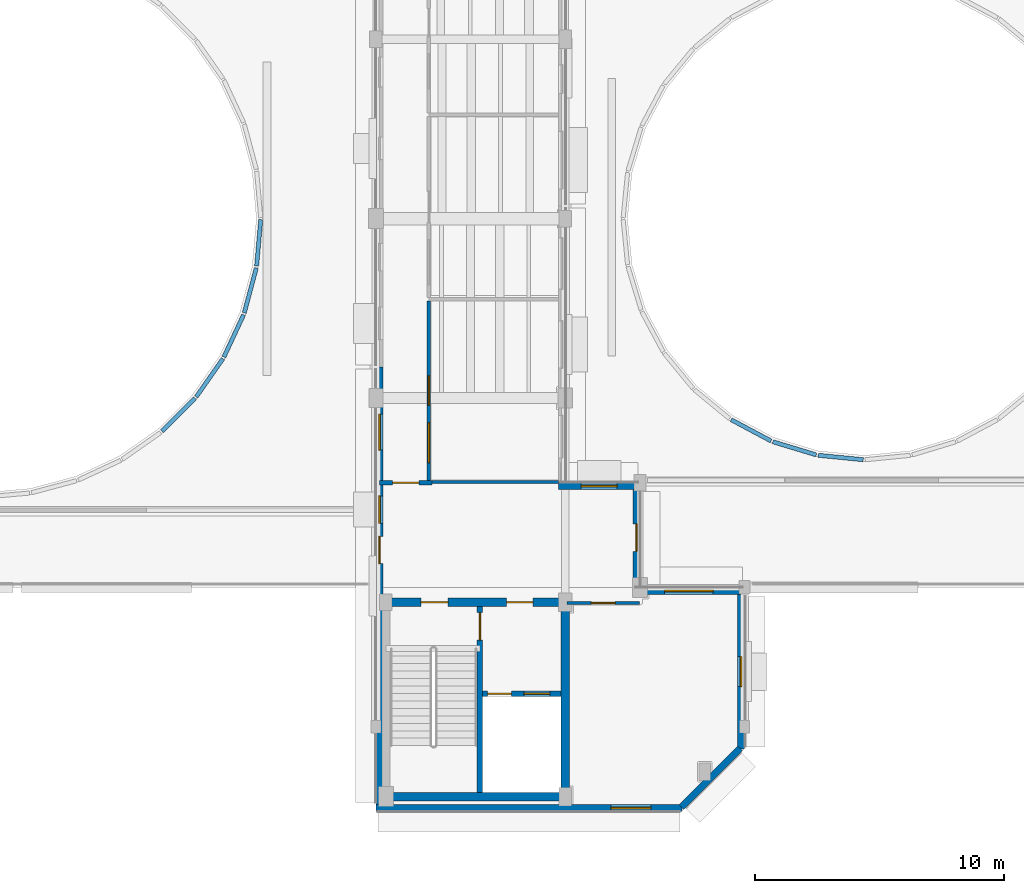
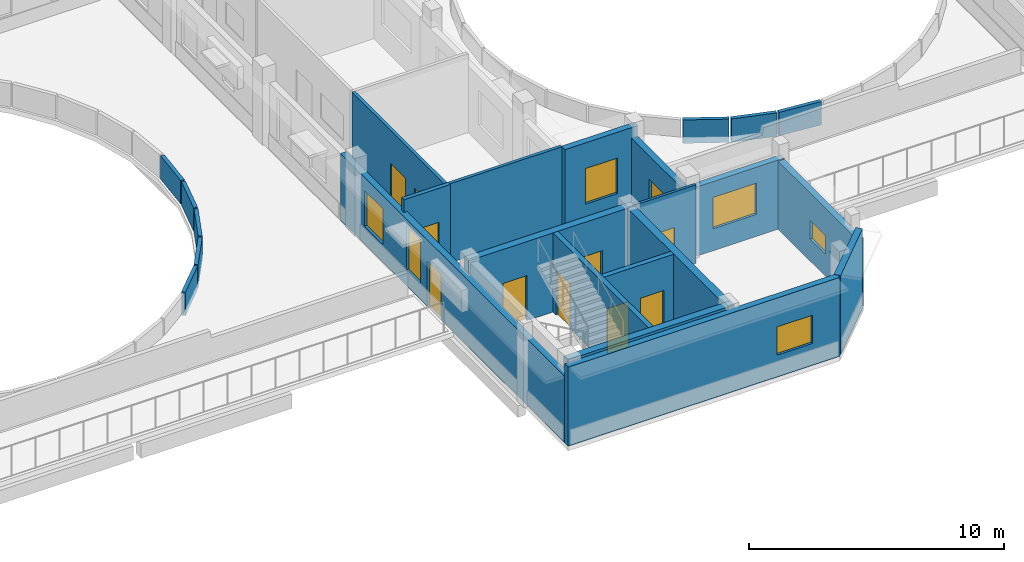
# One storey, part 61 of 78: 24 walls, 10 doors, 7 windows, 17 openings.
"""IFC4 building model written with IfcOpenShell, lengths in metres."""

import ifcopenshell
import ifcopenshell.guid

model = None  # the IFC model being written
_history = None  # IfcOwnerHistory: only IFC2X3 demands one
_inside = {}  # id of a spatial element -> (the spatial element, [elements in it])
_under = {}  # id of a project, library or spatial element -> (it, [spatial elements below it])
_declared = {}  # id of a project -> (the project, [libraries it declares])
_typed = {}  # id of a type object -> (the type object, [elements of that type])
_made_of = {}  # id of a material, layer set ... -> (it, [elements and type objects made of it])


def new_model(schema):
    """Start an empty IFC model of exactly this schema.

    Asked for "IFC4X3", IfcOpenShell would pick the latest addendum, in which some entities
    have other attributes; the version numbers below select the first issue.
    IFC2X3 requires an IfcOwnerHistory on every rooted entity: one is made here for all.
    """
    global model, _history
    if schema == "IFC4X3":
        model = ifcopenshell.file(schema_version=(4, 3, 0, 0))
    else:
        model = ifcopenshell.file(schema=schema)
    _inside.clear()
    _under.clear()
    _declared.clear()
    _typed.clear()
    _made_of.clear()
    _history = None
    if model.schema == "IFC2X3":
        org = make("IfcOrganization", Name="unknown")
        user = make(
            "IfcPersonAndOrganization",
            ThePerson=make("IfcPerson", FamilyName="unknown"),
            TheOrganization=org,
        )
        app = make(
            "IfcApplication",
            ApplicationDeveloper=org,
            Version="unknown",
            ApplicationFullName="unknown",
            ApplicationIdentifier="unknown",
        )
        _history = make(
            "IfcOwnerHistory",
            OwningUser=user,
            OwningApplication=app,
            ChangeAction="ADDED",
            CreationDate=0,
        )
    return model


def make(cls, **values):
    """One entity of the class cls with the attributes given. An attribute that is None is left unset."""
    return model.create_entity(
        cls, **{name: value for name, value in values.items() if value is not None}
    )


def rooted(cls, **values):
    """An entity with a GlobalId (a new one), such as an element, a storey or a relation."""
    return make(cls, GlobalId=ifcopenshell.guid.new(), OwnerHistory=_history, **values)


def si_unit(unit_type, name, prefix=None):
    """IfcSIUnit, for example si_unit("LENGTHUNIT", "METRE", prefix="MILLI")."""
    return make("IfcSIUnit", UnitType=unit_type, Prefix=prefix, Name=name)


def assignment(units):
    """IfcUnitAssignment: the units of a project."""
    return None if units is None else make("IfcUnitAssignment", Units=units)


def point(xyz):
    """IfcCartesianPoint."""
    return None if xyz is None else make("IfcCartesianPoint", Coordinates=xyz)


def direction(xyz):
    """IfcDirection."""
    return None if xyz is None else make("IfcDirection", DirectionRatios=xyz)


def frame(location, z_axis=None, x_axis=None):
    """IfcAxis2Placement3D, a coordinate frame: its origin and axes. An axis left out is left unset."""
    return make(
        "IfcAxis2Placement3D",
        Location=point(location),
        Axis=direction(z_axis),
        RefDirection=direction(x_axis),
    )


def frame_2d(location, x_axis=None):
    """IfcAxis2Placement2D, a coordinate frame in the plane: its origin and x axis."""
    return make(
        "IfcAxis2Placement2D", Location=point(location), RefDirection=direction(x_axis)
    )


def origin():
    """The frame at (0, 0, 0) with its axes left unset."""
    return frame((0.0, 0.0, 0.0))


def place(relative_to, where):
    """IfcLocalPlacement: puts the frame where relative to a parent placement (None: the world)."""
    return make(
        "IfcLocalPlacement", PlacementRelTo=relative_to, RelativePlacement=where
    )


def context(
    kind, dimensions, precision=None, world=None, true_north=None, identifier=None
):
    """IfcGeometricRepresentationContext, for example the 3D "Model" context."""
    return make(
        "IfcGeometricRepresentationContext",
        ContextIdentifier=identifier,
        ContextType=kind,
        CoordinateSpaceDimension=dimensions,
        Precision=precision,
        WorldCoordinateSystem=world,
        TrueNorth=true_north,
    )


def subcontext(parent, identifier, kind, view, scale=None):
    """IfcGeometricRepresentationSubContext, for example "Body" below "Model"."""
    return make(
        "IfcGeometricRepresentationSubContext",
        ContextIdentifier=identifier,
        ContextType=kind,
        ParentContext=parent,
        TargetScale=scale,
        TargetView=view,
    )


def project(units=None, contexts=None):
    """IfcProject with its units and contexts."""
    return rooted(
        "IfcProject",
        Name="project",
        RepresentationContexts=contexts,
        UnitsInContext=assignment(units),
    )


def spatial(cls, under=None, at=None, **own):
    """A site, building, storey or space (cls), placed at a placement, below another one or the project."""
    s = rooted(cls, ObjectPlacement=at, **own)
    if under is not None:
        _under.setdefault(under.id(), (under, []))[1].append(s)
    return s


def profile(cls, at=None, kind="AREA", **sizes):
    """A parametric profile (cls). Its sizes go by their IFC names, for example OverallWidth=200.0."""
    return make(cls, ProfileType=kind, Position=at, **sizes)


def rectangle(**sizes):
    """IfcRectangleProfileDef."""
    return profile("IfcRectangleProfileDef", **sizes)


def extrude(swept, where, along, depth):
    """IfcExtrudedAreaSolid: the profile swept, set in the frame where, extruded along a direction by depth."""
    return make(
        "IfcExtrudedAreaSolid",
        SweptArea=swept,
        Position=where,
        ExtrudedDirection=direction(along),
        Depth=depth,
    )


def shape(context_of_items, identifier, shape_type, items):
    """IfcShapeRepresentation: the items that make up one representation, for example the "Body"."""
    return make(
        "IfcShapeRepresentation",
        ContextOfItems=context_of_items,
        RepresentationIdentifier=identifier,
        RepresentationType=shape_type,
        Items=items,
    )


def material(Name=None, Category=None):
    """IfcMaterial."""
    return make("IfcMaterial", Name=Name, Category=Category)


def layer(
    of_material, thickness, ventilated=None, Name=None, Category=None, Priority=None
):
    """IfcMaterialLayer: one layer of a wall or slab, of a material (None: an air gap)."""
    return make(
        "IfcMaterialLayer",
        Material=of_material,
        LayerThickness=thickness,
        IsVentilated=ventilated,
        Name=Name,
        Category=Category,
        Priority=Priority,
    )


def layer_set(layers, Name=None):
    """IfcMaterialLayerSet."""
    return make("IfcMaterialLayerSet", MaterialLayers=layers, LayerSetName=Name)


def made_of(thing, what):
    """Note that an element or type object is made of a material, layer set ...; save() writes the relation."""
    if what is not None:
        _made_of.setdefault(what.id(), (what, []))[1].append(thing)
    return thing


def type_object(cls, material=None, **own):
    """A type object (cls), such as IfcWallType, which elements share."""
    return made_of(rooted(cls, **own), material)


def element(
    cls,
    number,
    at=None,
    inside=None,
    cuts=None,
    type_object=None,
    material=None,
    context=None,
    identifier="Body",
    shape_type=None,
    held_by="IfcProductDefinitionShape",
    body=None,
    shapes=None,
    **own,
):
    """One element of the class cls, such as IfcWall. Its Tag is "e" and its number.

    at: its placement. inside: the storey or other place that contains it. cuts: it is an
    opening in that element (IfcRelVoidsElement). A single representation is given by context,
    identifier, shape_type and body (its items); several are given by shapes. held_by: the class
    of the entity that holds the representations. save() writes the other relations.
    """
    e = rooted(cls, Tag="e%d" % number, ObjectPlacement=at, **own)
    if body is not None:
        shapes = [shape(context, identifier, shape_type, body)]
    if shapes is not None:
        e.Representation = make(held_by, Representations=shapes)
    if inside is not None:
        _inside.setdefault(inside.id(), (inside, []))[1].append(e)
    if cuts is not None:
        rooted(
            "IfcRelVoidsElement", RelatingBuildingElement=cuts, RelatedOpeningElement=e
        )
    if type_object is not None:
        _typed.setdefault(type_object.id(), (type_object, []))[1].append(e)
    return made_of(e, material)


def fill(opening, filler):
    """IfcRelFillsElement: the door or window that sits in an opening."""
    return rooted(
        "IfcRelFillsElement",
        RelatingOpeningElement=opening,
        RelatedBuildingElement=filler,
    )


def aggregate(whole, parts):
    """IfcRelAggregates: a whole, such as a stair, and the parts it consists of."""
    return rooted("IfcRelAggregates", RelatingObject=whole, RelatedObjects=parts)


def save(model, path):
    """Write the relations noted so far, then the file.

    IfcRelAggregates (storeys below a building ...), IfcRelContainedInSpatialStructure (elements
    in a storey), IfcRelDefinesByType, IfcRelAssociatesMaterial and IfcRelDeclares: one each for
    every whole, place, type object, material and project.
    """
    for whole, parts in _under.values():
        aggregate(whole, parts)
    for where, things in _inside.values():
        rooted(
            "IfcRelContainedInSpatialStructure",
            RelatedElements=things,
            RelatingStructure=where,
        )
    for kind, things in _typed.values():
        rooted("IfcRelDefinesByType", RelatedObjects=things, RelatingType=kind)
    for what, things in _made_of.values():
        rooted("IfcRelAssociatesMaterial", RelatedObjects=things, RelatingMaterial=what)
    for by, libraries in _declared.values():
        rooted("IfcRelDeclares", RelatingContext=by, RelatedDefinitions=libraries)
    model.write(path)


model = new_model("IFC4")

# Units and contexts
model_context = context("Model", 3, precision=1e-05, world=origin(), true_north=direction((0.0, 1.0)))
body_context = subcontext(model_context, "Body", "Model", "MODEL_VIEW")
ifc_project = project(units=[si_unit("LENGTHUNIT", "METRE"), si_unit("AREAUNIT", "SQUARE_METRE"), si_unit("VOLUMEUNIT", "CUBIC_METRE"), si_unit("PLANEANGLEUNIT", "RADIAN"), si_unit("MASSUNIT", "GRAM", prefix="KILO")], contexts=[model_context])

# Site, building, storey
site_placement = place(None, origin())
site = spatial("IfcSite", under=ifc_project, at=site_placement, CompositionType="ELEMENT")
building_placement = place(site_placement, origin())
building = spatial("IfcBuilding", under=site, at=building_placement, Name="Kelanivale Promenade Academy", CompositionType="ELEMENT")
storey_placement = place(building_placement, frame((0.0, 0.0, 16.199951171875)))
storey = spatial("IfcBuildingStorey", under=building, at=storey_placement, Name="L04", CompositionType="ELEMENT", Elevation=16.199951171875)

# Wall
ifc_material_1 = material(Name="Concrete C40/50", Category="concrete")
ifc_layer_1 = layer(ifc_material_1, 0.330078125)
ifc_layer_set_1 = layer_set([ifc_layer_1], Name="Concrete C40/50")
wall_type_1 = type_object("IfcWallType", Name="CW-S1 Wall 330mm", PredefinedType="SHEAR", material=ifc_layer_set_1)
wall_1_placement = place(storey_placement, frame((79.43505859375, 33.60009765625, 0.0), z_axis=(0.0, 0.0, 1.0), x_axis=(1.0, 0.0, 0.0)))
element("IfcWall", 1, at=wall_1_placement, inside=storey, type_object=wall_type_1, Name="CORE-1 RC shear wall S L04", PredefinedType="SHEAR", context=body_context, shape_type="SweptSolid", body=[
    extrude(rectangle(XDim=7.530029296875, YDim=0.330078125, at=frame_2d((3.76513671875, 0.0))), origin(), (0.0, 0.0, 1.0), 3.780029296875),
])

# Wall, openings, doors
wall_2_placement = place(storey_placement, frame((79.43505859375, 41.39990234375, 0.0), z_axis=(0.0, 0.0, 1.0), x_axis=(1.0, 0.0, 0.0)))
wall_2 = element("IfcWall", 2, at=wall_2_placement, inside=storey, type_object=wall_type_1, Name="CORE-1 RC shear wall N L04", PredefinedType="SHEAR", context=body_context, shape_type="SweptSolid", body=[
    extrude(rectangle(XDim=7.530029296875, YDim=0.330078125, at=frame_2d((3.76513671875, 0.0))), origin(), (0.0, 0.0, 1.0), 3.780029296875),
])
opening_1_placement = place(wall_2_placement, frame((5.014892578125, 0.0, 0.0)))
opening_1 = element("IfcOpeningElement", 3, at=opening_1_placement, cuts=wall_2, Name="Opening FD-CORE-1-LB-L04", PredefinedType="OPENING", context=body_context, shape_type="SweptSolid", body=[
    extrude(rectangle(XDim=1.050048828125, YDim=2.14990234375, at=frame_2d((0.52490234375, 1.074951171875))), frame((0.0, 0.175048828125, 0.0), z_axis=(0.0, -1.0, 0.0), x_axis=(1.0, 0.0, 0.0)), (0.0, 0.0, 1.0), 0.35009765625),
])
opening_2_placement = place(wall_2_placement, frame((1.56494140625, 0.0, 0.0)))
opening_2 = element("IfcOpeningElement", 4, at=opening_2_placement, cuts=wall_2, Name="Opening FD-CORE-1-ST-L04", PredefinedType="OPENING", context=body_context, shape_type="SweptSolid", body=[
    extrude(rectangle(XDim=1.10009765625, YDim=2.14990234375, at=frame_2d((0.550048828125, 1.074951171875))), frame((0.0, 0.175048828125, 0.0), z_axis=(0.0, -1.0, 0.0), x_axis=(1.0, 0.0, 0.0)), (0.0, 0.0, 1.0), 0.35009765625),
])
ifc_material_2 = material(Name="Fire-rated steel-core teak veneer", Category="steel")
door_type_1 = type_object("IfcDoorType", Name="DT-F01 Door 1100x2150", OperationType="NOTDEFINED", PredefinedType="DOOR", material=ifc_material_2)
door_1_placement = place(opening_2_placement, origin())
door_1 = element("IfcDoor", 5, at=door_1_placement, inside=storey, type_object=door_type_1, Name="CORE-1 protected stair fire door L04", OperationType="SINGLE_SWING_LEFT", OverallHeight=2.14990234375, OverallWidth=1.10009765625, PredefinedType="DOOR", context=body_context, shape_type="SweptSolid", body=[
    extrude(rectangle(XDim=1.10009765625, YDim=2.14990234375, at=frame_2d((0.550048828125, 1.074951171875))), frame((0.0, 0.02490234375, 0.0), z_axis=(0.0, -1.0, 0.0), x_axis=(1.0, 0.0, 0.0)), (0.0, 0.0, 1.0), 0.050048828125),
])
fill(opening_2, door_1)
door_type_2 = type_object("IfcDoorType", Name="DT-F03 Door 1050x2150", OperationType="NOTDEFINED", PredefinedType="DOOR", material=ifc_material_2)
door_2_placement = place(opening_1_placement, origin())
door_2 = element("IfcDoor", 6, at=door_2_placement, inside=storey, type_object=door_type_2, Name="CORE-1 corridor-to-lobby fire door L04", OperationType="SINGLE_SWING_RIGHT", OverallHeight=2.14990234375, OverallWidth=1.050048828125, PredefinedType="DOOR", context=body_context, shape_type="SweptSolid", body=[
    extrude(rectangle(XDim=1.050048828125, YDim=2.14990234375, at=frame_2d((0.52490234375, 1.074951171875))), frame((0.0, 0.02490234375, 0.0), z_axis=(0.0, -1.0, 0.0), x_axis=(1.0, 0.0, 0.0)), (0.0, 0.0, 1.0), 0.050048828125),
])
fill(opening_1, door_2)

# Wall
wall_3_placement = place(storey_placement, frame((86.800048828125, 33.764892578125, 0.0), z_axis=(0.0, 0.0, 1.0), x_axis=(0.0, 1.0, 0.0)))
element("IfcWall", 7, at=wall_3_placement, inside=storey, type_object=wall_type_1, Name="CORE-1 RC shear wall E L04", PredefinedType="SHEAR", context=body_context, shape_type="SweptSolid", body=[
    extrude(rectangle(XDim=7.47021484375, YDim=0.330078125, at=frame_2d((3.735107421875, 0.0))), origin(), (0.0, 0.0, 1.0), 3.780029296875),
])

# Wall, openings, doors
ifc_layer_2 = layer(ifc_material_1, 0.22509765625)
ifc_layer_set_2 = layer_set([ifc_layer_2], Name="Concrete C40/50")
wall_type_2 = type_object("IfcWallType", Name="CW-S2 Wall 225mm", PredefinedType="SHEAR", material=ifc_layer_set_2)
wall_4_placement = place(storey_placement, frame((83.485107421875, 37.72998046875, 0.0), z_axis=(0.0, 0.0, 1.0), x_axis=(1.0, 0.0, 0.0)))
wall_4 = element("IfcWall", 8, at=wall_4_placement, inside=storey, type_object=wall_type_2, Name="CORE-1 lift shaft front RC wall L04", PredefinedType="SHEAR", context=body_context, shape_type="SweptSolid", body=[
    extrude(rectangle(XDim=3.14990234375, YDim=0.22509765625, at=frame_2d((1.574951171875, 0.0))), origin(), (0.0, 0.0, 1.0), 3.780029296875),
])
opening_3_placement = place(wall_4_placement, frame((0.199951171875, 0.0, 0.0)))
opening_3 = element("IfcOpeningElement", 9, at=opening_3_placement, cuts=wall_4, Name="Opening LD-LF-FF1-L04", PredefinedType="OPENING", context=body_context, shape_type="SweptSolid", body=[
    extrude(rectangle(XDim=0.949951171875, YDim=2.14990234375, at=frame_2d((0.47509765625, 1.074951171875))), frame((0.0, 0.12255859375, 0.0), z_axis=(0.0, -1.0, 0.0), x_axis=(1.0, 0.0, 0.0)), (0.0, 0.0, 1.0), 0.2451171875),
])
opening_4_placement = place(wall_4_placement, frame((1.64990234375, 0.0, 0.0)))
opening_4 = element("IfcOpeningElement", 10, at=opening_4_placement, cuts=wall_4, Name="Opening LD-LF-P1-L04", PredefinedType="OPENING", context=body_context, shape_type="SweptSolid", body=[
    extrude(rectangle(XDim=1.050048828125, YDim=2.199951171875, at=frame_2d((0.52490234375, 1.10009765625))), frame((0.0, 0.12255859375, 0.0), z_axis=(0.0, -1.0, 0.0), x_axis=(1.0, 0.0, 0.0)), (0.0, 0.0, 1.0), 0.2451171875),
])
door_type_3 = type_object("IfcDoorType", Name="LD-FF1 Door 950x2150", OperationType="NOTDEFINED", PredefinedType="DOOR", material=ifc_material_2)
door_3_placement = place(opening_3_placement, origin())
door_3 = element("IfcDoor", 11, at=door_3_placement, inside=storey, type_object=door_type_3, Name="Firefighting lift landing door LD-LF-FF1-L04", OperationType="SLIDING_TO_LEFT", OverallHeight=2.14990234375, OverallWidth=0.949951171875, PredefinedType="DOOR", context=body_context, shape_type="SweptSolid", body=[
    extrude(rectangle(XDim=0.949951171875, YDim=2.14990234375, at=frame_2d((0.47509765625, 1.074951171875))), frame((0.0, 0.02490234375, 0.0), z_axis=(0.0, -1.0, 0.0), x_axis=(1.0, 0.0, 0.0)), (0.0, 0.0, 1.0), 0.050048828125),
])
fill(opening_3, door_3)
door_type_4 = type_object("IfcDoorType", Name="LD-PL1 Door 1050x2200", OperationType="NOTDEFINED", PredefinedType="DOOR", material=ifc_material_2)
door_4_placement = place(opening_4_placement, origin())
door_4 = element("IfcDoor", 12, at=door_4_placement, inside=storey, type_object=door_type_4, Name="Passenger lift landing door LD-LF-P1-L04", OperationType="SLIDING_TO_RIGHT", OverallHeight=2.199951171875, OverallWidth=1.050048828125, PredefinedType="DOOR", context=body_context, shape_type="SweptSolid", body=[
    extrude(rectangle(XDim=1.050048828125, YDim=2.199951171875, at=frame_2d((0.52490234375, 1.10009765625))), frame((0.0, 0.02490234375, 0.0), z_axis=(0.0, -1.0, 0.0), x_axis=(1.0, 0.0, 0.0)), (0.0, 0.0, 1.0), 0.050048828125),
])
fill(opening_4, door_4)

# Wall, opening, door
ifc_layer_3 = layer(ifc_material_1, 0.219970703125)
ifc_layer_set_3 = layer_set([ifc_layer_3], Name="Concrete C40/50")
wall_type_3 = type_object("IfcWallType", Name="CW-S3 Wall 220mm", PredefinedType="SHEAR", material=ifc_layer_set_3)
wall_5_placement = place(storey_placement, frame((83.375, 33.764892578125, 0.0), z_axis=(0.0, 0.0, 1.0), x_axis=(0.0, 1.0, 0.0)))
wall_5 = element("IfcWall", 13, at=wall_5_placement, inside=storey, type_object=wall_type_3, Name="CORE-1 stair-lobby dividing RC wall L04", PredefinedType="SHEAR", context=body_context, shape_type="SweptSolid", body=[
    extrude(rectangle(XDim=7.47021484375, YDim=0.219970703125, at=frame_2d((3.735107421875, 0.0))), origin(), (0.0, 0.0, 1.0), 3.780029296875),
])
opening_5_placement = place(wall_5_placement, frame((6.1201171875, 0.0, 0.0)))
opening_5 = element("IfcOpeningElement", 14, at=opening_5_placement, cuts=wall_5, Name="Opening FD-CORE-1-SL-L04", PredefinedType="OPENING", context=body_context, shape_type="SweptSolid", body=[
    extrude(rectangle(XDim=1.10009765625, YDim=2.14990234375, at=frame_2d((0.550048828125, 1.074951171875))), frame((0.0, 0.1201171875, 0.0), z_axis=(0.0, -1.0, 0.0), x_axis=(1.0, 0.0, 0.0)), (0.0, 0.0, 1.0), 0.239990234375),
])
door_5_placement = place(opening_5_placement, origin())
door_5 = element("IfcDoor", 15, at=door_5_placement, inside=storey, type_object=door_type_1, Name="CORE-1 lobby-to-stair fire door L04", OperationType="SINGLE_SWING_LEFT", OverallHeight=2.14990234375, OverallWidth=1.10009765625, PredefinedType="DOOR", context=body_context, shape_type="SweptSolid", body=[
    extrude(rectangle(XDim=1.10009765625, YDim=2.14990234375, at=frame_2d((0.550048828125, 1.074951171875))), frame((0.0, 0.02490234375, 0.0), z_axis=(0.0, -1.0, 0.0), x_axis=(1.0, 0.0, 0.0)), (0.0, 0.0, 1.0), 0.050048828125),
])
fill(opening_5, door_5)

# Wall, opening, window
ifc_material_3 = material(Name="Insulated ivory stucco masonry wall 280 mm", Category="masonry")
ifc_layer_4 = layer(ifc_material_3, 0.280029296875)
ifc_layer_set_4 = layer_set([ifc_layer_4], Name="Insulated ivory stucco masonry wall 280 mm")
wall_type_4 = type_object("IfcWallType", Name="EW-02 Wall 280mm", PredefinedType="SOLIDWALL", material=ifc_layer_set_4)
wall_6_placement = place(storey_placement, frame((94.0, 41.860107421875, 0.0), z_axis=(0.0, 0.0, 1.0), x_axis=(-1.0, 0.0, 0.0)))
wall_6 = element("IfcWall", 16, at=wall_6_placement, inside=storey, type_object=wall_type_4, Name="L04 exterior facade wall EW-L04-ORT-0517", PredefinedType="SOLIDWALL", context=body_context, shape_type="SweptSolid", body=[
    extrude(rectangle(XDim=4.47998046875, YDim=0.280029296875, at=frame_2d((2.239990234375, 0.0))), origin(), (0.0, 0.0, 1.0), 3.304931640625),
])
opening_6_placement = place(wall_6_placement, frame((1.264892578125, 0.0, 1.050048828125)))
opening_6 = element("IfcOpeningElement", 17, at=opening_6_placement, cuts=wall_6, Name="Opening WT-22", PredefinedType="OPENING", context=body_context, shape_type="SweptSolid", body=[
    extrude(rectangle(XDim=1.949951171875, YDim=1.5, at=frame_2d((0.97509765625, 0.75))), frame((0.0, 0.14990234375, 0.0), z_axis=(0.0, -1.0, 0.0), x_axis=(1.0, 0.0, 0.0)), (0.0, 0.0, 1.0), 0.300048828125),
])
ifc_material_4 = material(Name="Bronze anodised aluminium frame with low-E laminated glass", Category="aluminium")
window_type_1 = type_object("IfcWindowType", Name="WT-22 Window 1950x1500", PartitioningType="SINGLE_PANEL", PredefinedType="WINDOW", material=ifc_material_4)
window_1_placement = place(opening_6_placement, origin())
window_1 = element("IfcWindow", 18, at=window_1_placement, inside=storey, type_object=window_type_1, Name="Window WT-22", OverallHeight=1.5, OverallWidth=1.949951171875, PartitioningType="SINGLE_PANEL", PredefinedType="WINDOW", context=body_context, shape_type="SweptSolid", body=[
    extrude(rectangle(XDim=1.949951171875, YDim=1.5, at=frame_2d((0.97509765625, 0.75))), frame((0.0, 0.030029296875, 0.0), z_axis=(0.0, -1.0, 0.0), x_axis=(1.0, 0.0, 0.0)), (0.0, 0.0, 1.0), 0.06005859375),
])
fill(opening_6, window_1)

# Wall, opening, door
wall_7_placement = place(storey_placement, frame((89.659912109375, 42.0, 0.0), z_axis=(0.0, 0.0, 1.0), x_axis=(0.0, 1.0, 0.0)))
wall_7 = element("IfcWall", 19, at=wall_7_placement, inside=storey, type_object=wall_type_4, Name="L04 exterior facade wall EW-L04-ORT-0518", PredefinedType="SOLIDWALL", context=body_context, shape_type="SweptSolid", body=[
    extrude(rectangle(XDim=3.919921875, YDim=0.280029296875, at=frame_2d((1.9599609375, 0.0))), origin(), (0.0, 0.0, 1.0), 3.275146484375),
])
opening_7_placement = place(wall_7_placement, frame((1.449951171875, 0.0, 0.0)))
opening_7 = element("IfcOpeningElement", 20, at=opening_7_placement, cuts=wall_7, Name="Opening XD-403", PredefinedType="OPENING", context=body_context, shape_type="SweptSolid", body=[
    extrude(rectangle(XDim=1.10009765625, YDim=2.14990234375, at=frame_2d((0.550048828125, 1.074951171875))), frame((0.0, 0.14990234375, 0.0), z_axis=(0.0, -1.0, 0.0), x_axis=(1.0, 0.0, 0.0)), (0.0, 0.0, 1.0), 0.300048828125),
])
ifc_material_5 = material(Name="Bronze anodised aluminium and laminated glass", Category="aluminium")
door_type_5 = type_object("IfcDoorType", Name="DT-X07 Door 1100x2150", OperationType="NOTDEFINED", PredefinedType="DOOR", material=ifc_material_5)
door_6_placement = place(opening_7_placement, frame((1.10009765625, 0.0, 0.0), z_axis=(0.0, 0.0, 1.0), x_axis=(-1.0, 0.0, 0.0)))
door_6 = element("IfcDoor", 21, at=door_6_placement, inside=storey, type_object=door_type_5, Name="L04 East Courtyard Play Deck door XD-403", OperationType="SINGLE_SWING_RIGHT", OverallHeight=2.14990234375, OverallWidth=1.10009765625, PredefinedType="DOOR", context=body_context, shape_type="SweptSolid", body=[
    extrude(rectangle(XDim=1.10009765625, YDim=2.14990234375, at=frame_2d((0.550048828125, 1.074951171875))), frame((0.0, 0.02490234375, 0.0), z_axis=(0.0, -1.0, 0.0), x_axis=(1.0, 0.0, 0.0)), (0.0, 0.0, 1.0), 0.050048828125),
])
fill(opening_7, door_6)

# Wall, opening, window
wall_8_placement = place(storey_placement, frame((89.800048828125, 46.06005859375, 0.0), z_axis=(0.0, 0.0, 1.0), x_axis=(-1.0, 0.0, 0.0)))
wall_8 = element("IfcWall", 22, at=wall_8_placement, inside=storey, type_object=wall_type_4, Name="L04 exterior facade wall EW-L04-ORT-0519", PredefinedType="SOLIDWALL", context=body_context, shape_type="SweptSolid", body=[
    extrude(rectangle(XDim=3.280029296875, YDim=0.280029296875, at=frame_2d((1.64013671875, 0.0))), origin(), (0.0, 0.0, 1.0), 3.780029296875),
])
opening_8_placement = place(wall_8_placement, frame((0.9150390625, 0.0, 0.85009765625)))
opening_8 = element("IfcOpeningElement", 23, at=opening_8_placement, cuts=wall_8, Name="Opening WT-24", PredefinedType="OPENING", context=body_context, shape_type="SweptSolid", body=[
    extrude(rectangle(XDim=1.449951171875, YDim=1.699951171875, at=frame_2d((0.72509765625, 0.85009765625))), frame((0.0, 0.14990234375, 0.0), z_axis=(0.0, -1.0, 0.0), x_axis=(1.0, 0.0, 0.0)), (0.0, 0.0, 1.0), 0.300048828125),
])
window_type_2 = type_object("IfcWindowType", Name="WT-24 Window 1450x1700", PartitioningType="SINGLE_PANEL", PredefinedType="WINDOW", material=ifc_material_4)
window_2_placement = place(opening_8_placement, origin())
window_2 = element("IfcWindow", 24, at=window_2_placement, inside=storey, type_object=window_type_2, Name="Window WT-24", OverallHeight=1.699951171875, OverallWidth=1.449951171875, PartitioningType="SINGLE_PANEL", PredefinedType="WINDOW", context=body_context, shape_type="SweptSolid", body=[
    extrude(rectangle(XDim=1.449951171875, YDim=1.699951171875, at=frame_2d((0.72509765625, 0.85009765625))), frame((0.0, 0.030029296875, 0.0), z_axis=(0.0, -1.0, 0.0), x_axis=(1.0, 0.0, 0.0)), (0.0, 0.0, 1.0), 0.06005859375),
])
fill(opening_8, window_2)

# Wall, openings, door, windows
wall_9_placement = place(storey_placement, frame((79.340087890625, 50.840087890625, 0.0), z_axis=(0.0, 0.0, 1.0), x_axis=(0.0, -1.0, 0.0)))
wall_9 = element("IfcWall", 25, at=wall_9_placement, inside=storey, type_object=wall_type_4, Name="L04 exterior facade wall EW-L04-ORT-0553", PredefinedType="SOLIDWALL", context=body_context, shape_type="SweptSolid", body=[
    extrude(rectangle(XDim=17.56005859375, YDim=0.280029296875, at=frame_2d((8.780029296875, 0.0))), origin(), (0.0, 0.0, 1.0), 3.175048828125),
])
opening_9_placement = place(wall_9_placement, frame((6.7900390625, 0.0, 0.0)))
opening_9 = element("IfcOpeningElement", 26, at=opening_9_placement, cuts=wall_9, Name="Opening XD-402", PredefinedType="OPENING", context=body_context, shape_type="SweptSolid", body=[
    extrude(rectangle(XDim=1.10009765625, YDim=2.14990234375, at=frame_2d((0.550048828125, 1.074951171875))), frame((0.0, 0.14990234375, 0.0), z_axis=(0.0, -1.0, 0.0), x_axis=(1.0, 0.0, 0.0)), (0.0, 0.0, 1.0), 0.300048828125),
])
opening_10_placement = place(wall_9_placement, frame((1.881103515625, 0.0, 0.85009765625)))
opening_10 = element("IfcOpeningElement", 27, at=opening_10_placement, cuts=wall_9, Name="Opening WT-24", PredefinedType="OPENING", context=body_context, shape_type="SweptSolid", body=[
    extrude(rectangle(XDim=1.449951171875, YDim=1.699951171875, at=frame_2d((0.72509765625, 0.85009765625))), frame((0.0, 0.14990234375, 0.0), z_axis=(0.0, -1.0, 0.0), x_axis=(1.0, 0.0, 0.0)), (0.0, 0.0, 1.0), 0.300048828125),
])
opening_11_placement = place(wall_9_placement, frame((5.16796875, 0.0, 0.75)))
opening_11 = element("IfcOpeningElement", 28, at=opening_11_placement, cuts=wall_9, Name="Opening WT-17", PredefinedType="OPENING", context=body_context, shape_type="SweptSolid", body=[
    extrude(rectangle(XDim=1.10009765625, YDim=2.10009765625, at=frame_2d((0.550048828125, 1.050048828125))), frame((0.0, 0.14990234375, 0.0), z_axis=(0.0, -1.0, 0.0), x_axis=(1.0, 0.0, 0.0)), (0.0, 0.0, 1.0), 0.300048828125),
])
door_7_placement = place(opening_9_placement, frame((1.10009765625, 0.0, 0.0), z_axis=(0.0, 0.0, 1.0), x_axis=(-1.0, 0.0, 0.0)))
door_7 = element("IfcDoor", 29, at=door_7_placement, inside=storey, type_object=door_type_5, Name="L04 West Courtyard Play Deck door XD-402", OperationType="SINGLE_SWING_LEFT", OverallHeight=2.14990234375, OverallWidth=1.10009765625, PredefinedType="DOOR", context=body_context, shape_type="SweptSolid", body=[
    extrude(rectangle(XDim=1.10009765625, YDim=2.14990234375, at=frame_2d((0.550048828125, 1.074951171875))), frame((0.0, 0.02490234375, 0.0), z_axis=(0.0, -1.0, 0.0), x_axis=(1.0, 0.0, 0.0)), (0.0, 0.0, 1.0), 0.050048828125),
])
fill(opening_9, door_7)
window_type_3 = type_object("IfcWindowType", Name="WT-17 Window 1100x2100", PartitioningType="SINGLE_PANEL", PredefinedType="WINDOW", material=ifc_material_4)
window_3_placement = place(opening_11_placement, origin())
window_3 = element("IfcWindow", 30, at=window_3_placement, inside=storey, type_object=window_type_3, Name="Window WT-17", OverallHeight=2.10009765625, OverallWidth=1.10009765625, PartitioningType="SINGLE_PANEL", PredefinedType="WINDOW", context=body_context, shape_type="SweptSolid", body=[
    extrude(rectangle(XDim=1.10009765625, YDim=2.10009765625, at=frame_2d((0.550048828125, 1.050048828125))), frame((0.0, 0.030029296875, 0.0), z_axis=(0.0, -1.0, 0.0), x_axis=(1.0, 0.0, 0.0)), (0.0, 0.0, 1.0), 0.06005859375),
])
fill(opening_11, window_3)
window_4_placement = place(opening_10_placement, origin())
window_4 = element("IfcWindow", 31, at=window_4_placement, inside=storey, type_object=window_type_2, Name="Window WT-24", OverallHeight=1.699951171875, OverallWidth=1.449951171875, PartitioningType="SINGLE_PANEL", PredefinedType="WINDOW", context=body_context, shape_type="SweptSolid", body=[
    extrude(rectangle(XDim=1.449951171875, YDim=1.699951171875, at=frame_2d((0.72509765625, 0.85009765625))), frame((0.0, 0.030029296875, 0.0), z_axis=(0.0, -1.0, 0.0), x_axis=(1.0, 0.0, 0.0)), (0.0, 0.0, 1.0), 0.06005859375),
])
fill(opening_10, window_4)

# Wall, opening, window
wall_10_placement = place(storey_placement, frame((79.199951171875, 33.139892578125, 0.0), z_axis=(0.0, 0.0, 1.0), x_axis=(1.0, 0.0, 0.0)))
wall_10 = element("IfcWall", 32, at=wall_10_placement, inside=storey, type_object=wall_type_4, Name="L04 exterior facade wall EW-L04-ORT-0554", PredefinedType="SOLIDWALL", context=body_context, shape_type="SweptSolid", body=[
    extrude(rectangle(XDim=12.278076171875, YDim=0.280029296875, at=frame_2d((6.13916015625, 0.0))), origin(), (0.0, 0.0, 1.0), 3.780029296875),
])
opening_12_placement = place(wall_10_placement, frame((9.431884765625, 0.0, 1.050048828125)))
opening_12 = element("IfcOpeningElement", 33, at=opening_12_placement, cuts=wall_10, Name="Opening WT-07", PredefinedType="OPENING", context=body_context, shape_type="SweptSolid", body=[
    extrude(rectangle(XDim=1.60009765625, YDim=1.35009765625, at=frame_2d((0.800048828125, 0.675048828125))), frame((0.0, 0.14990234375, 0.0), z_axis=(0.0, -1.0, 0.0), x_axis=(1.0, 0.0, 0.0)), (0.0, 0.0, 1.0), 0.300048828125),
])
window_type_4 = type_object("IfcWindowType", Name="WT-07 Window 1600x1350", PartitioningType="SINGLE_PANEL", PredefinedType="WINDOW", material=ifc_material_4)
window_5_placement = place(opening_12_placement, origin())
window_5 = element("IfcWindow", 34, at=window_5_placement, inside=storey, type_object=window_type_4, Name="Window WT-07", OverallHeight=1.35009765625, OverallWidth=1.60009765625, PartitioningType="SINGLE_PANEL", PredefinedType="WINDOW", context=body_context, shape_type="SweptSolid", body=[
    extrude(rectangle(XDim=1.60009765625, YDim=1.35009765625, at=frame_2d((0.800048828125, 0.675048828125))), frame((0.0, 0.030029296875, 0.0), z_axis=(0.0, -1.0, 0.0), x_axis=(1.0, 0.0, 0.0)), (0.0, 0.0, 1.0), 0.06005859375),
])
fill(opening_12, window_5)

# Wall
wall_11_placement = place(storey_placement, frame((91.466064453125, 33.18408203125, 0.0), z_axis=(0.0, 0.0, 1.0), x_axis=(0.707106781187, 0.707106781187, 0.0)))
element("IfcWall", 35, at=wall_11_placement, inside=storey, type_object=wall_type_4, Name="L04 exterior facade wall EW-L04-ORT-0555", PredefinedType="SOLIDWALL", context=body_context, shape_type="SweptSolid", body=[
    extrude(rectangle(XDim=3.3232421875, YDim=0.280029296875, at=frame_2d((1.66162109375, 0.0))), origin(), (0.0, 0.0, 1.0), 3.780029296875),
])

# Wall, opening, window
wall_12_placement = place(storey_placement, frame((93.860107421875, 35.52197265625, 0.0), z_axis=(0.0, 0.0, 1.0), x_axis=(0.0, 1.0, 0.0)))
wall_12 = element("IfcWall", 36, at=wall_12_placement, inside=storey, type_object=wall_type_4, Name="L04 exterior facade wall EW-L04-ORT-0556", PredefinedType="SOLIDWALL", context=body_context, shape_type="SweptSolid", body=[
    extrude(rectangle(XDim=6.197998046875, YDim=0.280029296875, at=frame_2d((3.09912109375, 0.0))), origin(), (0.0, 0.0, 1.0), 3.255126953125),
])
opening_13_placement = place(wall_12_placement, frame((2.4990234375, 0.0, 1.050048828125)))
opening_13 = element("IfcOpeningElement", 37, at=opening_13_placement, cuts=wall_12, Name="Opening WT-09", PredefinedType="OPENING", context=body_context, shape_type="SweptSolid", body=[
    extrude(rectangle(XDim=1.199951171875, YDim=0.89990234375, at=frame_2d((0.60009765625, 0.449951171875))), frame((0.0, 0.14990234375, 0.0), z_axis=(0.0, -1.0, 0.0), x_axis=(1.0, 0.0, 0.0)), (0.0, 0.0, 1.0), 0.300048828125),
])
window_type_5 = type_object("IfcWindowType", Name="WT-09 Window 1200x900", PartitioningType="SINGLE_PANEL", PredefinedType="WINDOW", material=ifc_material_4)
window_6_placement = place(opening_13_placement, origin())
window_6 = element("IfcWindow", 38, at=window_6_placement, inside=storey, type_object=window_type_5, Name="Window WT-09", OverallHeight=0.89990234375, OverallWidth=1.199951171875, PartitioningType="SINGLE_PANEL", PredefinedType="WINDOW", context=body_context, shape_type="SweptSolid", body=[
    extrude(rectangle(XDim=1.199951171875, YDim=0.89990234375, at=frame_2d((0.60009765625, 0.449951171875))), frame((0.0, 0.030029296875, 0.0), z_axis=(0.0, -1.0, 0.0), x_axis=(1.0, 0.0, 0.0)), (0.0, 0.0, 1.0), 0.06005859375),
])
fill(opening_13, window_6)

# Wall, opening, door
ifc_material_6 = material(Name="Autoclaved masonry blockwork 180 mm", Category="masonry")
ifc_layer_5 = layer(ifc_material_6, 0.179931640625)
ifc_layer_set_5 = layer_set([ifc_layer_5], Name="Autoclaved masonry blockwork 180 mm")
wall_type_5 = type_object("IfcWallType", Name="IW-02 Wall 180mm", PredefinedType="PARTITIONING", material=ifc_layer_set_5)
wall_13_placement = place(storey_placement, frame((79.341064453125, 46.199951171875, 0.0), z_axis=(0.0, 0.0, 1.0), x_axis=(1.0, 0.0, 0.0)))
wall_13 = element("IfcWall", 39, at=wall_13_placement, inside=storey, type_object=wall_type_5, Name="L04 cross-corridor fire wall", PredefinedType="PARTITIONING", context=body_context, shape_type="SweptSolid", body=[
    extrude(rectangle(XDim=2.10888671875, YDim=0.179931640625, at=frame_2d((1.054443359375, 0.0))), origin(), (0.0, 0.0, 1.0), 3.780029296875),
])
opening_14_placement = place(wall_13_placement, frame((0.530029296875, 0.0, 0.0)))
opening_14 = element("IfcOpeningElement", 40, at=opening_14_placement, cuts=wall_13, Name="Opening FD-L04-CC-173", PredefinedType="OPENING", context=body_context, shape_type="SweptSolid", body=[
    extrude(rectangle(XDim=1.050048828125, YDim=2.14990234375, at=frame_2d((0.52490234375, 1.074951171875))), frame((0.0, 0.10009765625, 0.0), z_axis=(0.0, -1.0, 0.0), x_axis=(1.0, 0.0, 0.0)), (0.0, 0.0, 1.0), 0.199951171875),
])
door_8_placement = place(opening_14_placement, origin())
door_8 = element("IfcDoor", 41, at=door_8_placement, inside=storey, type_object=door_type_2, Name="L04 cross-corridor fire door FD-L04-CC-173", OperationType="SINGLE_SWING_RIGHT", OverallHeight=2.14990234375, OverallWidth=1.050048828125, PredefinedType="DOOR", context=body_context, shape_type="SweptSolid", body=[
    extrude(rectangle(XDim=1.050048828125, YDim=2.14990234375, at=frame_2d((0.52490234375, 1.074951171875))), frame((0.0, 0.02490234375, 0.0), z_axis=(0.0, -1.0, 0.0), x_axis=(1.0, 0.0, 0.0)), (0.0, 0.0, 1.0), 0.050048828125),
])
fill(opening_14, door_8)

# Wall, openings, door, window
ifc_material_7 = material(Name="Acoustic double-stud gypsum board partition 140 mm", Category="masonry")
ifc_layer_6 = layer(ifc_material_7, 0.139892578125)
ifc_layer_set_6 = layer_set([ifc_layer_6], Name="Acoustic double-stud gypsum board partition 140 mm")
wall_type_6 = type_object("IfcWallType", Name="IW-04 Wall 140mm", PredefinedType="PARTITIONING", material=ifc_layer_set_6)
wall_14_placement = place(storey_placement, frame((81.330078125, 53.501953125, 0.0), z_axis=(0.0, 0.0, 1.0), x_axis=(0.0, -1.0, 0.0)))
wall_14 = element("IfcWall", 42, at=wall_14_placement, inside=storey, type_object=wall_type_6, Name="L04 partition Sixth Form Classroom", PredefinedType="PARTITIONING", context=body_context, shape_type="SweptSolid", body=[
    extrude(rectangle(XDim=7.2138671875, YDim=0.139892578125, at=frame_2d((3.60693359375, 0.0))), origin(), (0.0, 0.0, 1.0), 3.775146484375),
])
opening_15_placement = place(wall_14_placement, frame((3.01708984375, 0.0, 0.0)))
opening_15 = element("IfcOpeningElement", 43, at=opening_15_placement, cuts=wall_14, Name="Opening ID-L04-179", PredefinedType="OPENING", context=body_context, shape_type="SweptSolid", body=[
    extrude(rectangle(XDim=1.179931640625, YDim=2.199951171875, at=frame_2d((0.58984375, 1.10009765625))), frame((0.0, 0.080078125, 0.0), z_axis=(0.0, -1.0, 0.0), x_axis=(1.0, 0.0, 0.0)), (0.0, 0.0, 1.0), 0.159912109375),
])
opening_16_placement = place(wall_14_placement, frame((4.89697265625, 0.0, 1.050048828125)))
opening_16 = element("IfcOpeningElement", 44, at=opening_16_placement, cuts=wall_14, Name="Opening WT-I01", PredefinedType="OPENING", context=body_context, shape_type="SweptSolid", body=[
    extrude(rectangle(XDim=1.60009765625, YDim=1.10009765625, at=frame_2d((0.800048828125, 0.550048828125))), frame((0.0, 0.080078125, 0.0), z_axis=(0.0, -1.0, 0.0), x_axis=(1.0, 0.0, 0.0)), (0.0, 0.0, 1.0), 0.159912109375),
])
ifc_material_8 = material(Name="Solid-core tropical teak timber", Category="wood")
door_type_6 = type_object("IfcDoorType", Name="DT-I18 Door 1180x2200", OperationType="NOTDEFINED", PredefinedType="DOOR", material=ifc_material_8)
door_9_placement = place(opening_15_placement, origin())
door_9 = element("IfcDoor", 45, at=door_9_placement, inside=storey, type_object=door_type_6, Name="Sixth Form Classroom door ID-L04-179", OperationType="SINGLE_SWING_LEFT", OverallHeight=2.199951171875, OverallWidth=1.179931640625, PredefinedType="DOOR", context=body_context, shape_type="SweptSolid", body=[
    extrude(rectangle(XDim=1.179931640625, YDim=2.199951171875, at=frame_2d((0.58984375, 1.10009765625))), frame((0.0, 0.02490234375, 0.0), z_axis=(0.0, -1.0, 0.0), x_axis=(1.0, 0.0, 0.0)), (0.0, 0.0, 1.0), 0.050048828125),
])
fill(opening_15, door_9)
window_type_6 = type_object("IfcWindowType", Name="WT-I01 Window 1600x1100", PartitioningType="SINGLE_PANEL", PredefinedType="WINDOW", material=ifc_material_4)
window_7_placement = place(opening_16_placement, origin())
window_7 = element("IfcWindow", 46, at=window_7_placement, inside=storey, type_object=window_type_6, Name="Interior observation window WT-I01", OverallHeight=1.10009765625, OverallWidth=1.60009765625, PartitioningType="SINGLE_PANEL", PredefinedType="WINDOW", context=body_context, shape_type="SweptSolid", body=[
    extrude(rectangle(XDim=1.60009765625, YDim=1.10009765625, at=frame_2d((0.800048828125, 0.550048828125))), frame((0.0, 0.030029296875, 0.0), z_axis=(0.0, -1.0, 0.0), x_axis=(1.0, 0.0, 0.0)), (0.0, 0.0, 1.0), 0.06005859375),
])
fill(opening_16, window_7)

# Wall
wall_15_placement = place(storey_placement, frame((81.330078125, 46.22998046875, 0.0), z_axis=(0.0, 0.0, 1.0), x_axis=(1.0, 0.0, 0.0)))
element("IfcWall", 47, at=wall_15_placement, inside=storey, type_object=wall_type_6, Name="L04 partition Sixth Form Classroom", PredefinedType="PARTITIONING", context=body_context, shape_type="SweptSolid", body=[
    extrude(rectangle(XDim=5.19189453125, YDim=0.139892578125, at=frame_2d((2.595947265625, 0.0))), origin(), (0.0, 0.0, 1.0), 3.775146484375),
])

# Wall, opening, door
ifc_material_9 = material(Name="Lightweight gypsum stud partition 115 mm", Category="masonry")
ifc_layer_7 = layer(ifc_material_9, 0.114990234375)
ifc_layer_set_7 = layer_set([ifc_layer_7], Name="Lightweight gypsum stud partition 115 mm")
wall_type_7 = type_object("IfcWallType", Name="IW-06 Wall 115mm", PredefinedType="PARTITIONING", material=ifc_layer_set_7)
wall_16_placement = place(storey_placement, frame((89.77001953125, 41.3701171875, 0.0), z_axis=(0.0, 0.0, 1.0), x_axis=(-1.0, 0.0, 0.0)))
wall_16 = element("IfcWall", 48, at=wall_16_placement, inside=storey, type_object=wall_type_7, Name="L04 partition Departmental Staff Office", PredefinedType="PARTITIONING", context=body_context, shape_type="SweptSolid", body=[
    extrude(rectangle(XDim=2.89013671875, YDim=0.114990234375, at=frame_2d((1.445068359375, 0.0))), origin(), (0.0, 0.0, 1.0), 3.755126953125),
])
opening_17_placement = place(wall_16_placement, frame((0.969970703125, 0.0, 0.0)))
opening_17 = element("IfcOpeningElement", 49, at=opening_17_placement, cuts=wall_16, Name="Opening ID-L04-178", PredefinedType="OPENING", context=body_context, shape_type="SweptSolid", body=[
    extrude(rectangle(XDim=0.949951171875, YDim=2.050048828125, at=frame_2d((0.47509765625, 1.02490234375))), frame((0.0, 0.0673828125, 0.0), z_axis=(0.0, -1.0, 0.0), x_axis=(1.0, 0.0, 0.0)), (0.0, 0.0, 1.0), 0.135009765625),
])
door_type_7 = type_object("IfcDoorType", Name="DT-I07 Door 950x2050", OperationType="NOTDEFINED", PredefinedType="DOOR", material=ifc_material_8)
door_10_placement = place(opening_17_placement, origin())
door_10 = element("IfcDoor", 50, at=door_10_placement, inside=storey, type_object=door_type_7, Name="Departmental Staff Office door ID-L04-178", OperationType="SINGLE_SWING_RIGHT", OverallHeight=2.050048828125, OverallWidth=0.949951171875, PredefinedType="DOOR", context=body_context, shape_type="SweptSolid", body=[
    extrude(rectangle(XDim=0.949951171875, YDim=2.050048828125, at=frame_2d((0.47509765625, 1.02490234375))), frame((0.0, 0.02490234375, 0.0), z_axis=(0.0, -1.0, 0.0), x_axis=(1.0, 0.0, 0.0)), (0.0, 0.0, 1.0), 0.050048828125),
])
fill(opening_17, door_10)

# Walls
ifc_material_10 = material(Name="Precast concrete C40/50", Category="concrete")
ifc_layer_8 = layer(ifc_material_10, 0.1650390625)
ifc_layer_set_8 = layer_set([ifc_layer_8], Name="Precast concrete C40/50")
wall_type_8 = type_object("IfcWallType", Name="PW-02 Wall 165mm", PredefinedType="PARAPET", material=ifc_layer_set_8)
wall_17_placement = place(storey_placement, frame((70.614990234375, 48.263916015625, 0.0), z_axis=(0.0, 0.0, 1.0), x_axis=(0.707106781187, 0.707106781187, 0.0)))
element("IfcWall", 51, at=wall_17_placement, inside=storey, type_object=wall_type_8, Name="L04 open courtyard roof parapet PW-02", PredefinedType="PARAPET", context=body_context, shape_type="SweptSolid", body=[
    extrude(rectangle(XDim=1.8681640625, YDim=0.1650390625, at=frame_2d((0.93408203125, 0.0))), origin(), (0.0, 0.0, 1.0), 1.1201171875),
])
for number, where, z_axis, x_axis, name in (
    (52, (71.987060546875, 49.64599609375, 0.0), (0.0, 0.0, 1.0), (0.573576307319, 0.819152134638, 0.0), "L04 open courtyard roof parapet PW-02"),
    (53, (73.09912109375, 51.24609375, 0.0), (0.0, 0.0, 1.0), (0.422592237917, 0.90631992169, 0.0), "L04 open courtyard roof parapet PW-02"),
    (54, (73.916015625, 53.014892578125, 0.0), (0.0, 0.0, 1.0), (0.258914559423, 0.965900228242, 0.0), "L04 open courtyard roof parapet PW-02"),
):
    element("IfcWall", number, at=place(storey_placement, frame(where, z_axis=z_axis, x_axis=x_axis)), inside=storey, type_object=wall_type_8, Name=name, PredefinedType="PARAPET", context=body_context, shape_type="SweptSolid", body=[
        extrude(rectangle(XDim=1.868896484375, YDim=0.1650390625, at=frame_2d((0.9345703125, 0.0))), origin(), (0.0, 0.0, 1.0), 1.1201171875),
    ])
wall_18_placement = place(storey_placement, frame((74.4130859375, 54.89892578125, 0.0), z_axis=(0.0, 0.0, 1.0), x_axis=(0.087684052646, 0.996148335797, 0.0)))
element("IfcWall", 55, at=wall_18_placement, inside=storey, type_object=wall_type_8, Name="L04 open courtyard roof parapet PW-02", PredefinedType="PARAPET", context=body_context, shape_type="SweptSolid", body=[
    extrude(rectangle(XDim=1.8681640625, YDim=0.1650390625, at=frame_2d((0.93408203125, 0.0))), origin(), (0.0, 0.0, 1.0), 1.1201171875),
])
for number, where, z_axis, x_axis, name in (
    (56, (93.45703125, 48.73193359375, 0.0), (0.0, 0.0, 1.0), (0.882241400844, -0.470797313753, 0.0), "L04 open courtyard roof parapet PW-02"),
    (57, (95.134033203125, 47.844970703125, 0.0), (0.0, 0.0, 1.0), (0.957087630302, -0.28979866791, 0.0), "L04 open courtyard roof parapet PW-02"),
):
    element("IfcWall", number, at=place(storey_placement, frame(where, z_axis=z_axis, x_axis=x_axis)), inside=storey, type_object=wall_type_8, Name=name, PredefinedType="PARAPET", context=body_context, shape_type="SweptSolid", body=[
        extrude(rectangle(XDim=1.818115234375, YDim=0.1650390625, at=frame_2d((0.9091796875, 0.0))), origin(), (0.0, 0.0, 1.0), 1.1201171875),
    ])
wall_19_placement = place(storey_placement, frame((96.951904296875, 47.302001953125, 0.0), z_axis=(0.0, 0.0, 1.0), x_axis=(0.995190326425, -0.097960268426, 0.0)))
element("IfcWall", 58, at=wall_19_placement, inside=storey, type_object=wall_type_8, Name="L04 open courtyard roof parapet PW-02", PredefinedType="PARAPET", context=body_context, shape_type="SweptSolid", body=[
    extrude(rectangle(XDim=1.81689453125, YDim=0.1650390625, at=frame_2d((0.908447265625, 0.0))), origin(), (0.0, 0.0, 1.0), 1.1201171875),
])

save(model, "model.ifc")
